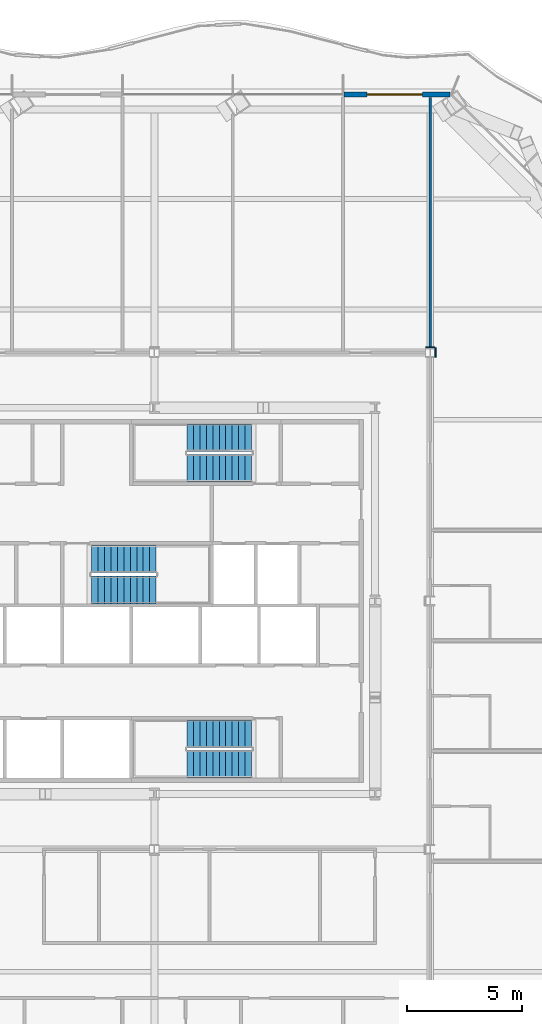
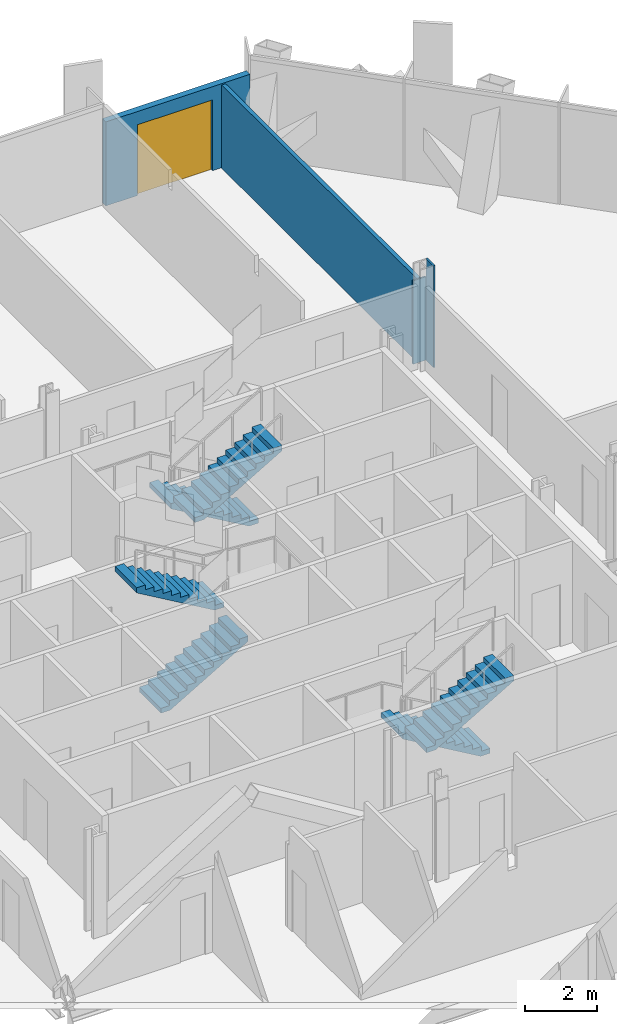
# One storey, part 12 of 17: 6 stair flights, 4 walls, 1 door, 1 opening, 3 elements without a shape of their own.
"""IFC4 building model written with IfcOpenShell, lengths in metres."""

from ifc_helpers import new_model, si_unit, direction, frame, frame_2d, origin, place, context, subcontext, project, spatial, polyline, rectangle, outline, extrude, material, layer, layer_set, type_object, element, fill, aggregate, save


model = new_model("IFC4")

# Units and contexts
model_context = context("Model", 3, precision=1e-05, world=origin(), true_north=direction((0.0, 1.0)))
body_context = subcontext(model_context, "Body", "Model", "MODEL_VIEW")
ifc_project = project(units=[si_unit("LENGTHUNIT", "METRE"), si_unit("AREAUNIT", "SQUARE_METRE"), si_unit("VOLUMEUNIT", "CUBIC_METRE"), si_unit("PLANEANGLEUNIT", "RADIAN"), si_unit("MASSUNIT", "GRAM", prefix="KILO")], contexts=[model_context])

# Site, building, storey
site_placement = place(None, origin())
site = spatial("IfcSite", under=ifc_project, at=site_placement, CompositionType="ELEMENT")
building_placement = place(site_placement, origin())
building = spatial("IfcBuilding", under=site, at=building_placement, Name="Cairn Pilgrim Tower", CompositionType="ELEMENT")
storey_placement = place(building_placement, frame((0.0, 0.0, 94.199951171875)))
storey = spatial("IfcBuildingStorey", under=building, at=storey_placement, Name="L22", CompositionType="ELEMENT", Elevation=94.199951171875)

# Wall, opening, door
ifc_material_1 = material(Name="Bronze anodised aluminium insulated sandwich panel with mineral wool fill", Category="aluminium")
ifc_layer_1 = layer(ifc_material_1, 0.199951171875)
ifc_layer_set_1 = layer_set([ifc_layer_1], Name="BRONZE INFILL FRAME WALL 200")
wall_type_1 = type_object("IfcWallType", Name="BRONZE INFILL FRAME WALL 200", PredefinedType="NOTDEFINED", material=ifc_layer_set_1)
wall_1_placement = place(storey_placement, frame((20.06494140625, 24.42236328125, 0.0), z_axis=(0.0, 0.0, 1.0), x_axis=(-1.0, 0.0, 0.0)))
wall_1 = element("IfcWall", 1, at=wall_1_placement, inside=storey, type_object=wall_type_1, Name="Bronze infill frame wall IW-N1", PredefinedType="NOTDEFINED", context=body_context, shape_type="SweptSolid", body=[
    extrude(rectangle(XDim=4.62646484375, YDim=0.199951171875, at=frame_2d((2.313232421875, 0.0))), origin(), (0.0, 0.0, 1.0), 2.85009765625),
])
opening_placement = place(wall_1_placement, frame((1.207763671875, 0.0, 0.0)))
opening = element("IfcOpeningElement", 2, at=opening_placement, cuts=wall_1, Name="Opening 2223B", PredefinedType="OPENING", context=body_context, shape_type="SweptSolid", body=[
    extrude(rectangle(XDim=2.39990234375, YDim=2.39990234375, at=frame_2d((1.199951171875, 1.199951171875))), frame((0.0, 0.10986328125, 0.0), z_axis=(0.0, -1.0, 0.0), x_axis=(1.0, 0.0, 0.0)), (0.0, 0.0, 1.0), 0.219970703125),
])
ifc_material_2 = material(Name="Bronze anodised aluminium frame with tinted low-E glass", Category="aluminium")
door_type = type_object("IfcDoorType", Name="BALCONY SLIDING DOOR 2400x2400", OperationType="DOUBLE_DOOR_SLIDING", PredefinedType="DOOR", material=ifc_material_2)
door_placement = place(opening_placement, origin())
door = element("IfcDoor", 3, at=door_placement, inside=storey, type_object=door_type, Name="Balcony sliding door 2223B", OperationType="SINGLE_SWING_LEFT", OverallHeight=2.39990234375, OverallWidth=2.39990234375, PredefinedType="DOOR", context=body_context, shape_type="SweptSolid", body=[
    extrude(rectangle(XDim=2.39990234375, YDim=2.39990234375, at=frame_2d((1.199951171875, 1.199951171875))), frame((0.0, 0.02490234375, 0.0), z_axis=(0.0, -1.0, 0.0), x_axis=(1.0, 0.0, 0.0)), (0.0, 0.0, 1.0), 0.050048828125),
])
fill(opening, door)

# Walls
ifc_material_3 = material(Name="Gypsum partition")
ifc_layer_2 = layer(ifc_material_3, 0.125)
ifc_layer_set_2 = layer_set([ifc_layer_2], Name="PARTITION 125 DRYWALL EI 60")
wall_type_2 = type_object("IfcWallType", Name="PARTITION 125 DRYWALL EI 60", PredefinedType="PARTITIONING", material=ifc_layer_set_2)
wall_2_placement = place(storey_placement, frame((19.199951171875, 13.41259765625, 0.0), z_axis=(0.0, 0.0, 1.0), x_axis=(0.0, 1.0, 0.0)))
element("IfcWall", 4, at=wall_2_placement, inside=storey, type_object=wall_type_2, Name="PARTITION W093", PredefinedType="PARTITIONING", context=body_context, shape_type="SweptSolid", body=[
    extrude(rectangle(XDim=10.879638671875, YDim=0.125, at=frame_2d((5.43994140625, 0.0))), origin(), (0.0, 0.0, 1.0), 2.830078125),
])
ifc_layer_3 = layer(ifc_material_3, 0.050048828125)
ifc_layer_set_3 = layer_set([ifc_layer_3], Name="PARTITION 50 DRYWALL EI 60")
wall_type_3 = type_object("IfcWallType", Name="PARTITION 50 DRYWALL EI 60", PredefinedType="PARTITIONING", material=ifc_layer_set_3)
wall_3_placement = place(storey_placement, frame((19.429443359375, 12.987548828125, 0.0), z_axis=(0.0, 0.0, 1.0), x_axis=(0.0, 1.0, 0.0)))
element("IfcWall", 5, at=wall_3_placement, inside=storey, type_object=wall_type_3, Name="COLUMN CASING WC04", PredefinedType="PARTITIONING", context=body_context, shape_type="SweptSolid", body=[
    extrude(rectangle(XDim=0.425048828125, YDim=0.050048828125, at=frame_2d((0.21240234375, 0.0))), origin(), (0.0, 0.0, 1.0), 3.449951171875),
])
wall_4_placement = place(storey_placement, frame((18.99560546875, 13.4375, 0.0), z_axis=(0.0, 0.0, 1.0), x_axis=(1.0, 0.0, 0.0)))
element("IfcWall", 6, at=wall_4_placement, inside=storey, type_object=wall_type_3, Name="COLUMN CASING WC17", PredefinedType="PARTITIONING", context=body_context, shape_type="SweptSolid", body=[
    extrude(rectangle(XDim=0.408935546875, YDim=0.050048828125, at=frame_2d((0.20458984375, 0.0))), origin(), (0.0, 0.0, 1.0), 2.830078125),
])

# Stair, stair flights
ifc_material_4 = material(Name="Concrete C32/40", Category="concrete")
stair_type = type_object("IfcStairType", Name="EXIT STAIR 1200", PredefinedType="HALF_TURN_STAIR", material=ifc_material_4)
stair_1_placement = place(storey_placement, origin())
stair_1 = element("IfcStair", 7, at=stair_1_placement, inside=storey, type_object=stair_type, Name="L22 Exit Stair A", PredefinedType="HALF_TURN_STAIR")
stair_flight_type = type_object("IfcStairFlightType", Name="STAIR FLIGHT 1200", PredefinedType="STRAIGHT", material=ifc_material_4)
stair_flight_1_placement = place(storey_placement, frame((11.425048828125, -3.375, 0.0), z_axis=(0.0, 0.0, 1.0), x_axis=(-1.0, 0.0, 0.0)))
stair_flight_1 = element("IfcStairFlight", 8, at=stair_flight_1_placement, type_object=stair_flight_type, Name="ST-A flight 1", NumberOfRisers=11, NumberOfTreads=10, PredefinedType="STRAIGHT", RiserHeight=0.163636364, TreadLength=0.28, context=body_context, shape_type="SweptSolid", body=[
    extrude(outline(polyline([(0.0, 0.0), (0.0, 0.16357421875), (0.280029296875, 0.16357421875), (0.280029296875, 0.327392578125), (0.56005859375, 0.327392578125), (0.56005859375, 0.490966796875), (0.840087890625, 0.490966796875), (0.840087890625, 0.654541015625), (1.1201171875, 0.654541015625), (1.1201171875, 0.818115234375), (1.39990234375, 0.818115234375), (1.39990234375, 0.98193359375), (1.679931640625, 0.98193359375), (1.679931640625, 1.1455078125), (1.9599609375, 1.1455078125), (1.9599609375, 1.30908203125), (2.239990234375, 1.30908203125), (2.239990234375, 1.47265625), (2.52001953125, 1.47265625), (2.52001953125, 1.636474609375), (2.800048828125, 1.636474609375), (2.800048828125, 1.800048828125), (2.800048828125, 1.462646484375), (0.297119140625, 0.0), (0.0, 0.0)])), frame((0.0, 0.60009765625, 0.0), z_axis=(0.0, -1.0, 0.0), x_axis=(1.0, 0.0, 0.0)), (0.0, 0.0, 1.0), 1.199951171875),
])
stair_flight_2_placement = place(storey_placement, frame((8.625, -4.699951171875, 1.800048828125), z_axis=(0.0, 0.0, 1.0), x_axis=(1.0, 0.0, 0.0)))
stair_flight_2 = element("IfcStairFlight", 9, at=stair_flight_2_placement, type_object=stair_flight_type, Name="ST-A flight 2", NumberOfRisers=11, NumberOfTreads=10, PredefinedType="STRAIGHT", RiserHeight=0.163636364, TreadLength=0.28, context=body_context, shape_type="SweptSolid", body=[
    extrude(outline(polyline([(0.0, 0.0), (0.0, 0.16357421875), (0.280029296875, 0.16357421875), (0.280029296875, 0.327392578125), (0.56005859375, 0.327392578125), (0.56005859375, 0.490966796875), (0.840087890625, 0.490966796875), (0.840087890625, 0.654541015625), (1.1201171875, 0.654541015625), (1.1201171875, 0.818115234375), (1.39990234375, 0.818115234375), (1.39990234375, 0.98193359375), (1.679931640625, 0.98193359375), (1.679931640625, 1.1455078125), (1.9599609375, 1.1455078125), (1.9599609375, 1.30908203125), (2.239990234375, 1.30908203125), (2.239990234375, 1.47265625), (2.52001953125, 1.47265625), (2.52001953125, 1.636474609375), (2.800048828125, 1.636474609375), (2.800048828125, 1.800048828125), (2.800048828125, 1.462646484375), (0.297119140625, 0.0), (0.0, 0.0)])), frame((0.0, 0.60009765625, 0.0), z_axis=(0.0, -1.0, 0.0), x_axis=(1.0, 0.0, 0.0)), (0.0, 0.0, 1.0), 1.199951171875),
])
aggregate(stair_1, [stair_flight_1, stair_flight_2])

stair_2_placement = place(storey_placement, origin())
stair_2 = element("IfcStair", 10, at=stair_2_placement, inside=storey, type_object=stair_type, Name="L22 Exit Stair B", PredefinedType="HALF_TURN_STAIR")
stair_flight_3_placement = place(storey_placement, frame((4.47509765625, 2.875, 0.0), z_axis=(0.0, 0.0, 1.0), x_axis=(1.0, 0.0, 0.0)))
stair_flight_3 = element("IfcStairFlight", 11, at=stair_flight_3_placement, type_object=stair_flight_type, Name="ST-B flight 1", NumberOfRisers=11, NumberOfTreads=10, PredefinedType="STRAIGHT", RiserHeight=0.163636364, TreadLength=0.28, context=body_context, shape_type="SweptSolid", body=[
    extrude(outline(polyline([(0.0, 0.0), (0.0, 0.16357421875), (0.280029296875, 0.16357421875), (0.280029296875, 0.327392578125), (0.56005859375, 0.327392578125), (0.56005859375, 0.490966796875), (0.840087890625, 0.490966796875), (0.840087890625, 0.654541015625), (1.1201171875, 0.654541015625), (1.1201171875, 0.818115234375), (1.39990234375, 0.818115234375), (1.39990234375, 0.98193359375), (1.679931640625, 0.98193359375), (1.679931640625, 1.1455078125), (1.9599609375, 1.1455078125), (1.9599609375, 1.30908203125), (2.239990234375, 1.30908203125), (2.239990234375, 1.47265625), (2.52001953125, 1.47265625), (2.52001953125, 1.636474609375), (2.800048828125, 1.636474609375), (2.800048828125, 1.800048828125), (2.800048828125, 1.462646484375), (0.297119140625, 0.0), (0.0, 0.0)])), frame((0.0, 0.60009765625, 0.0), z_axis=(0.0, -1.0, 0.0), x_axis=(1.0, 0.0, 0.0)), (0.0, 0.0, 1.0), 1.199951171875),
])
stair_flight_4_placement = place(storey_placement, frame((7.27490234375, 4.22509765625, 1.800048828125), z_axis=(0.0, 0.0, 1.0), x_axis=(-1.0, 0.0, 0.0)))
stair_flight_4 = element("IfcStairFlight", 12, at=stair_flight_4_placement, type_object=stair_flight_type, Name="ST-B flight 2", NumberOfRisers=11, NumberOfTreads=10, PredefinedType="STRAIGHT", RiserHeight=0.163636364, TreadLength=0.28, context=body_context, shape_type="SweptSolid", body=[
    extrude(outline(polyline([(0.0, 0.0), (0.0, 0.16357421875), (0.280029296875, 0.16357421875), (0.280029296875, 0.327392578125), (0.56005859375, 0.327392578125), (0.56005859375, 0.490966796875), (0.840087890625, 0.490966796875), (0.840087890625, 0.654541015625), (1.1201171875, 0.654541015625), (1.1201171875, 0.818115234375), (1.39990234375, 0.818115234375), (1.39990234375, 0.98193359375), (1.679931640625, 0.98193359375), (1.679931640625, 1.1455078125), (1.9599609375, 1.1455078125), (1.9599609375, 1.30908203125), (2.239990234375, 1.30908203125), (2.239990234375, 1.47265625), (2.52001953125, 1.47265625), (2.52001953125, 1.636474609375), (2.800048828125, 1.636474609375), (2.800048828125, 1.800048828125), (2.800048828125, 1.462646484375), (0.297119140625, 0.0), (0.0, 0.0)])), frame((0.0, 0.60009765625, 0.0), z_axis=(0.0, -1.0, 0.0), x_axis=(1.0, 0.0, 0.0)), (0.0, 0.0, 1.0), 1.199951171875),
])
aggregate(stair_2, [stair_flight_3, stair_flight_4])

stair_3_placement = place(storey_placement, origin())
stair_3 = element("IfcStair", 13, at=stair_3_placement, inside=storey, type_object=stair_type, Name="L22 Exit Stair C", PredefinedType="HALF_TURN_STAIR")
stair_flight_5_placement = place(storey_placement, frame((11.425048828125, 9.5, 0.0), z_axis=(0.0, 0.0, 1.0), x_axis=(-1.0, 0.0, 0.0)))
stair_flight_5 = element("IfcStairFlight", 14, at=stair_flight_5_placement, type_object=stair_flight_type, Name="ST-C flight 1", NumberOfRisers=11, NumberOfTreads=10, PredefinedType="STRAIGHT", RiserHeight=0.163636364, TreadLength=0.28, context=body_context, shape_type="SweptSolid", body=[
    extrude(outline(polyline([(0.0, 0.0), (0.0, 0.16357421875), (0.280029296875, 0.16357421875), (0.280029296875, 0.327392578125), (0.56005859375, 0.327392578125), (0.56005859375, 0.490966796875), (0.840087890625, 0.490966796875), (0.840087890625, 0.654541015625), (1.1201171875, 0.654541015625), (1.1201171875, 0.818115234375), (1.39990234375, 0.818115234375), (1.39990234375, 0.98193359375), (1.679931640625, 0.98193359375), (1.679931640625, 1.1455078125), (1.9599609375, 1.1455078125), (1.9599609375, 1.30908203125), (2.239990234375, 1.30908203125), (2.239990234375, 1.47265625), (2.52001953125, 1.47265625), (2.52001953125, 1.636474609375), (2.800048828125, 1.636474609375), (2.800048828125, 1.800048828125), (2.800048828125, 1.462646484375), (0.297119140625, 0.0), (0.0, 0.0)])), frame((0.0, 0.60009765625, 0.0), z_axis=(0.0, -1.0, 0.0), x_axis=(1.0, 0.0, 0.0)), (0.0, 0.0, 1.0), 1.199951171875),
])
stair_flight_6_placement = place(storey_placement, frame((8.625, 8.175048828125, 1.800048828125), z_axis=(0.0, 0.0, 1.0), x_axis=(1.0, 0.0, 0.0)))
stair_flight_6 = element("IfcStairFlight", 15, at=stair_flight_6_placement, type_object=stair_flight_type, Name="ST-C flight 2", NumberOfRisers=11, NumberOfTreads=10, PredefinedType="STRAIGHT", RiserHeight=0.163636364, TreadLength=0.28, context=body_context, shape_type="SweptSolid", body=[
    extrude(outline(polyline([(0.0, 0.0), (0.0, 0.16357421875), (0.280029296875, 0.16357421875), (0.280029296875, 0.327392578125), (0.56005859375, 0.327392578125), (0.56005859375, 0.490966796875), (0.840087890625, 0.490966796875), (0.840087890625, 0.654541015625), (1.1201171875, 0.654541015625), (1.1201171875, 0.818115234375), (1.39990234375, 0.818115234375), (1.39990234375, 0.98193359375), (1.679931640625, 0.98193359375), (1.679931640625, 1.1455078125), (1.9599609375, 1.1455078125), (1.9599609375, 1.30908203125), (2.239990234375, 1.30908203125), (2.239990234375, 1.47265625), (2.52001953125, 1.47265625), (2.52001953125, 1.636474609375), (2.800048828125, 1.636474609375), (2.800048828125, 1.800048828125), (2.800048828125, 1.462646484375), (0.297119140625, 0.0), (0.0, 0.0)])), frame((0.0, 0.60009765625, 0.0), z_axis=(0.0, -1.0, 0.0), x_axis=(1.0, 0.0, 0.0)), (0.0, 0.0, 1.0), 1.199951171875),
])
aggregate(stair_3, [stair_flight_5, stair_flight_6])

save(model, "model.ifc")
